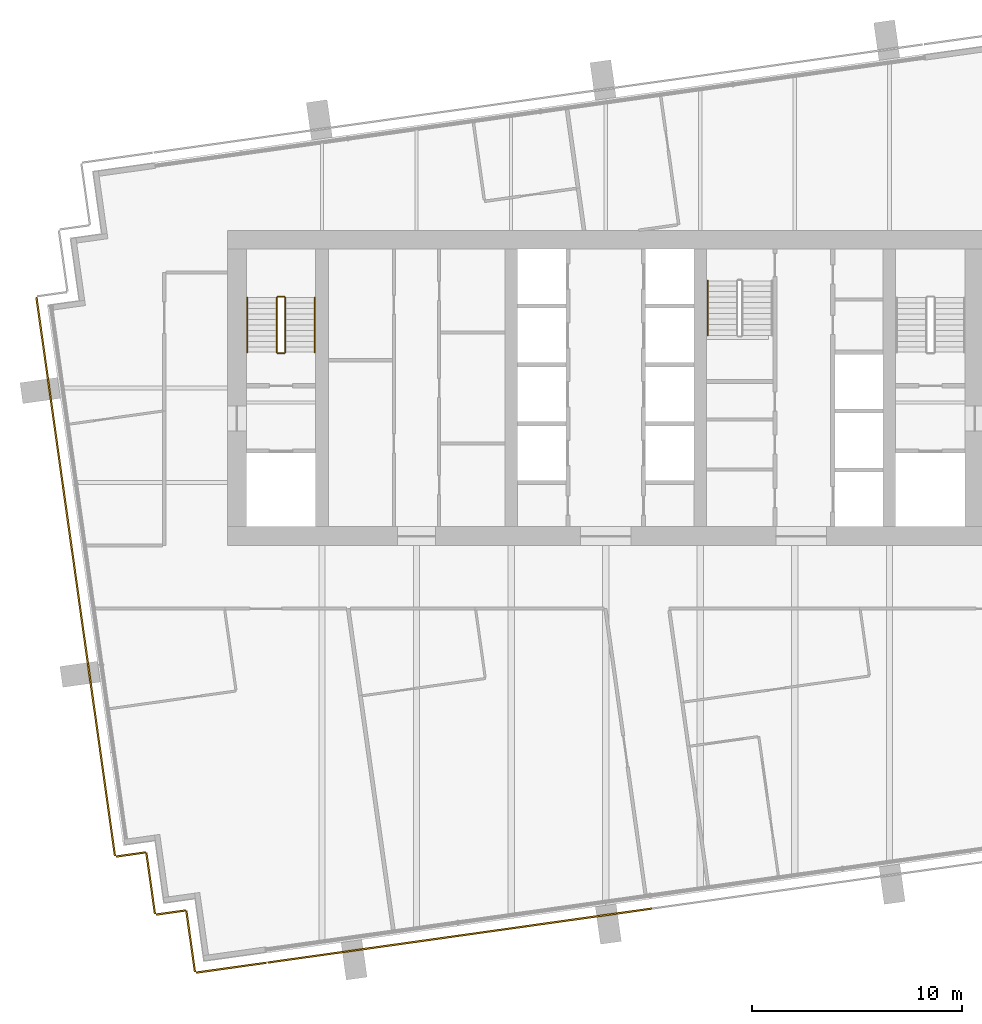
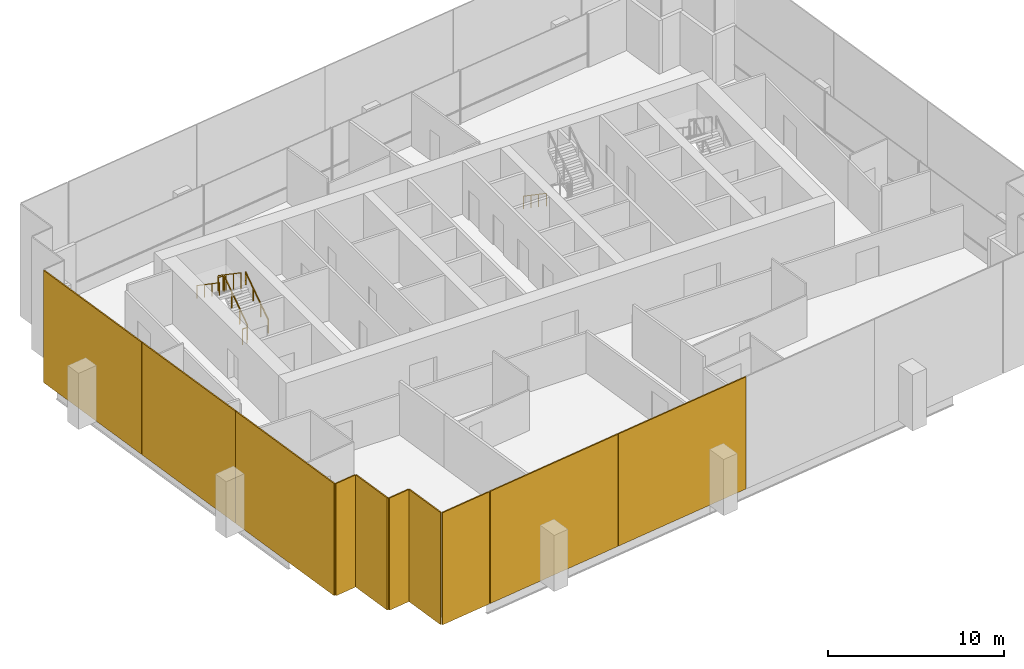
# One storey, part 12 of 15: 10 coverings, 7 railings.
"""IFC4 building model written with IfcOpenShell, lengths in metres."""

from ifc_helpers import new_model, si_unit, direction, frame, origin, origin_2d, place, context, subcontext, project, spatial, rectangle, extrude, material, layer, layer_set, type_object, element, save


model = new_model("IFC4")

# Units and contexts
model_context = context("Model", 3, precision=1e-05, world=origin(), true_north=direction((0.0, 1.0)))
body_context = subcontext(model_context, "Body", "Model", "MODEL_VIEW")
ifc_project = project(units=[si_unit("LENGTHUNIT", "METRE"), si_unit("AREAUNIT", "SQUARE_METRE"), si_unit("VOLUMEUNIT", "CUBIC_METRE"), si_unit("PLANEANGLEUNIT", "RADIAN"), si_unit("MASSUNIT", "GRAM", prefix="KILO")], contexts=[model_context])

# Site, building, storey
site_placement = place(None, origin())
site = spatial("IfcSite", under=ifc_project, at=site_placement, CompositionType="ELEMENT")
building_placement = place(site_placement, origin())
building = spatial("IfcBuilding", under=site, at=building_placement, Name="Rattan Terrace Tower", CompositionType="ELEMENT")
storey_placement = place(building_placement, frame((0.0, 0.0, 278.5)))
storey = spatial("IfcBuildingStorey", under=building, at=storey_placement, Name="L64", CompositionType="ELEMENT", Elevation=278.5)

# Railings
ifc_material_1 = material(Name="Powder-coated steel guard", Category="steel")
railing_type_1 = type_object("IfcRailingType", Name="Core stair guard", PredefinedType="GUARDRAIL", material=ifc_material_1)
railing_1_placement = place(storey_placement, frame((-15.25, 1.699951171875, 0.17724609375)))
element("IfcRailing", 1, at=railing_1_placement, inside=storey, type_object=railing_type_1, Name="L64 S1 stair guard 1", PredefinedType="GUARDRAIL", context=body_context, shape_type="SweptSolid", body=[
    extrude(rectangle(XDim=0.048095703125, YDim=0.048095703125, at=origin_2d()), frame((0.0, 0.0, 1.076171875), z_axis=(0.0, 0.826240473404, 0.563317565952), x_axis=(-1.0, 0.0, 0.0)), (0.0, 0.0, 1.0), 3.14697265625),
    extrude(rectangle(XDim=0.0419921875, YDim=0.0419921875, at=origin_2d()), origin(), (0.0, 0.0, 1.0), 1.052001953125),
    extrude(rectangle(XDim=0.0419921875, YDim=0.0419921875, at=origin_2d()), frame((0.0, 0.86669921875, 0.5908203125)), (0.0, 0.0, 1.0), 1.052001953125),
    extrude(rectangle(XDim=0.0419921875, YDim=0.0419921875, at=origin_2d()), frame((0.0, 1.7333984375, 1.181884765625)), (0.0, 0.0, 1.0), 1.052001953125),
    extrude(rectangle(XDim=0.0419921875, YDim=0.0419921875, at=origin_2d()), frame((0.0, 2.60009765625, 1.772705078125)), (0.0, 0.0, 1.0), 1.052001953125),
])
railing_2_placement = place(storey_placement, frame((-15.300048828125, 4.35009765625, 1.949951171875)))
element("IfcRailing", 2, at=railing_2_placement, inside=storey, type_object=railing_type_1, Name="L64 S1 stair guard 2", PredefinedType="GUARDRAIL", context=body_context, shape_type="SweptSolid", body=[
    extrude(rectangle(XDim=0.048095703125, YDim=0.048095703125, at=origin_2d()), frame((0.0, 0.0, 1.076171875), z_axis=(-1.0, 0.0, 0.0), x_axis=(0.0, -1.0, 0.0)), (0.0, 0.0, 1.0), 0.300048828125),
    extrude(rectangle(XDim=0.0419921875, YDim=0.0419921875, at=origin_2d()), origin(), (0.0, 0.0, 1.0), 1.052001953125),
    extrude(rectangle(XDim=0.0419921875, YDim=0.0419921875, at=origin_2d()), frame((-0.300048828125, 0.0, 0.0)), (0.0, 0.0, 1.0), 1.052001953125),
])
railing_3_placement = place(storey_placement, frame((-15.64990234375, 4.300048828125, 2.127197265625)))
element("IfcRailing", 3, at=railing_3_placement, inside=storey, type_object=railing_type_1, Name="L64 S1 stair guard 3", PredefinedType="GUARDRAIL", context=body_context, shape_type="SweptSolid", body=[
    extrude(rectangle(XDim=0.048095703125, YDim=0.048095703125, at=origin_2d()), frame((0.0, 0.0, 1.076171875), z_axis=(0.0, -0.826240473404, 0.563317565952), x_axis=(1.0, 0.0, 0.0)), (0.0, 0.0, 1.0), 3.14697265625),
    extrude(rectangle(XDim=0.0419921875, YDim=0.0419921875, at=origin_2d()), origin(), (0.0, 0.0, 1.0), 1.052001953125),
    extrude(rectangle(XDim=0.0419921875, YDim=0.0419921875, at=origin_2d()), frame((0.0, -0.86669921875, 0.5908203125)), (0.0, 0.0, 1.0), 1.052001953125),
    extrude(rectangle(XDim=0.0419921875, YDim=0.0419921875, at=origin_2d()), frame((0.0, -1.7333984375, 1.181884765625)), (0.0, 0.0, 1.0), 1.052001953125),
    extrude(rectangle(XDim=0.0419921875, YDim=0.0419921875, at=origin_2d()), frame((0.0, -2.60009765625, 1.772705078125)), (0.0, 0.0, 1.0), 1.052001953125),
])
railing_4_placement = place(storey_placement, frame((-15.300048828125, 1.64990234375, 0.0)))
element("IfcRailing", 4, at=railing_4_placement, inside=storey, type_object=railing_type_1, Name="L64 S1 stair guard 4", PredefinedType="GUARDRAIL", context=body_context, shape_type="SweptSolid", body=[
    extrude(rectangle(XDim=0.048095703125, YDim=0.048095703125, at=origin_2d()), frame((0.0, 0.0, 1.076171875), z_axis=(-1.0, 0.0, 0.0), x_axis=(0.0, -1.0, 0.0)), (0.0, 0.0, 1.0), 0.300048828125),
    extrude(rectangle(XDim=0.0419921875, YDim=0.0419921875, at=origin_2d()), origin(), (0.0, 0.0, 1.0), 1.052001953125),
    extrude(rectangle(XDim=0.0419921875, YDim=0.0419921875, at=origin_2d()), frame((-0.300048828125, 0.0, 0.0)), (0.0, 0.0, 1.0), 1.052001953125),
])
ifc_material_2 = material(Name="Powder-coated steel handrail", Category="steel")
railing_type_2 = type_object("IfcRailingType", Name="Core stair handrail", PredefinedType="HANDRAIL", material=ifc_material_2)
railing_5_placement = place(storey_placement, frame((-13.85009765625, 1.699951171875, 0.17724609375)))
element("IfcRailing", 5, at=railing_5_placement, inside=storey, type_object=railing_type_2, Name="L64 S1 stair handrail 1", PredefinedType="HANDRAIL", context=body_context, shape_type="SweptSolid", body=[
    extrude(rectangle(XDim=0.048095703125, YDim=0.048095703125, at=origin_2d()), frame((0.0, 0.0, 0.8759765625), z_axis=(0.0, 0.826240473404, 0.563317565952), x_axis=(-1.0, 0.0, 0.0)), (0.0, 0.0, 1.0), 3.14697265625),
    extrude(rectangle(XDim=0.0419921875, YDim=0.0419921875, at=origin_2d()), origin(), (0.0, 0.0, 1.0), 0.851806640625),
    extrude(rectangle(XDim=0.0419921875, YDim=0.0419921875, at=origin_2d()), frame((0.0, 0.86669921875, 0.5908203125)), (0.0, 0.0, 1.0), 0.851806640625),
    extrude(rectangle(XDim=0.0419921875, YDim=0.0419921875, at=origin_2d()), frame((0.0, 1.7333984375, 1.181884765625)), (0.0, 0.0, 1.0), 0.851806640625),
    extrude(rectangle(XDim=0.0419921875, YDim=0.0419921875, at=origin_2d()), frame((0.0, 2.60009765625, 1.772705078125)), (0.0, 0.0, 1.0), 0.851806640625),
])
for number, where, name in (
    (6, (-17.050048828125, 4.300048828125, 2.127197265625), "L64 S1 stair handrail 2"),
    (7, (4.85009765625, 5.10009765625, 0.17724609375), "L64 S3 stair handrail 1"),
):
    element("IfcRailing", number, at=place(storey_placement, frame(where)), inside=storey, type_object=railing_type_2, Name=name, PredefinedType="HANDRAIL", context=body_context, shape_type="SweptSolid", body=[
        extrude(rectangle(XDim=0.048095703125, YDim=0.048095703125, at=origin_2d()), frame((0.0, 0.0, 0.8759765625), z_axis=(0.0, -0.826240473404, 0.563317565952), x_axis=(1.0, 0.0, 0.0)), (0.0, 0.0, 1.0), 3.14697265625),
        extrude(rectangle(XDim=0.0419921875, YDim=0.0419921875, at=origin_2d()), origin(), (0.0, 0.0, 1.0), 0.851806640625),
        extrude(rectangle(XDim=0.0419921875, YDim=0.0419921875, at=origin_2d()), frame((0.0, -0.86669921875, 0.5908203125)), (0.0, 0.0, 1.0), 0.851806640625),
        extrude(rectangle(XDim=0.0419921875, YDim=0.0419921875, at=origin_2d()), frame((0.0, -1.7333984375, 1.181884765625)), (0.0, 0.0, 1.0), 0.851806640625),
        extrude(rectangle(XDim=0.0419921875, YDim=0.0419921875, at=origin_2d()), frame((0.0, -2.60009765625, 1.772705078125)), (0.0, 0.0, 1.0), 0.851806640625),
    ])

# Coverings
ifc_material_3 = material(Name="Perforated terracotta", Category="masonry")
ifc_layer = layer(ifc_material_3, 0.080078125)
ifc_layer_set = layer_set([ifc_layer], Name="Facade Terracotta Screen Panel HZ")
covering_type = type_object("IfcCoveringType", Name="Facade Terracotta Screen Panel HZ", PredefinedType="CLADDING", material=ifc_layer_set)
covering_1_placement = place(storey_placement, frame((-26.45263671875, -0.183349609375, -0.18994140625), z_axis=(0.0, 0.0, 1.0), x_axis=(0.139191775431, -0.990265444036, 0.0)))
element("IfcCovering", 8, at=covering_1_placement, inside=storey, type_object=covering_type, Name="OUTER SKIN panel L64-23", PredefinedType="CLADDING", context=body_context, shape_type="SweptSolid", body=[
    extrude(rectangle(XDim=9.06689453125, YDim=0.080078125, at=origin_2d()), origin(), (0.0, 0.0, 1.0), 7.780029296875),
])
covering_2_placement = place(storey_placement, frame((-25.217041015625, -8.973876953125, -0.18994140625), z_axis=(0.0, 0.0, 1.0), x_axis=(0.139191775431, -0.990265444036, 0.0)))
element("IfcCovering", 9, at=covering_2_placement, inside=storey, type_object=covering_type, Name="OUTER SKIN panel L64-24", PredefinedType="CLADDING", context=body_context, shape_type="SweptSolid", body=[
    extrude(rectangle(XDim=8.64697265625, YDim=0.080078125, at=origin_2d()), origin(), (0.0, 0.0, 1.0), 7.780029296875),
])
covering_3_placement = place(storey_placement, frame((-23.9814453125, -17.76416015625, -0.18994140625), z_axis=(0.0, 0.0, 1.0), x_axis=(0.139191775431, -0.990265444036, 0.0)))
element("IfcCovering", 10, at=covering_3_placement, inside=storey, type_object=covering_type, Name="OUTER SKIN panel L64-25", PredefinedType="CLADDING", context=body_context, shape_type="SweptSolid", body=[
    extrude(rectangle(XDim=9.066162109375, YDim=0.080078125, at=origin_2d()), origin(), (0.0, 0.0, 1.0), 7.780029296875),
])
covering_4_placement = place(storey_placement, frame((-22.591064453125, -22.19677734375, -0.18994140625), z_axis=(0.0, 0.0, 1.0), x_axis=(0.990240767803, 0.139367219175, 0.0)))
element("IfcCovering", 11, at=covering_4_placement, inside=storey, type_object=covering_type, Name="OUTER SKIN panel L64-26", PredefinedType="CLADDING", context=body_context, shape_type="SweptSolid", body=[
    extrude(rectangle(XDim=1.419677734375, YDim=0.080078125, at=origin_2d()), origin(), (0.0, 0.0, 1.0), 7.780029296875),
])
covering_5_placement = place(storey_placement, frame((-21.65087890625, -23.569091796875, -0.18994140625), z_axis=(0.0, 0.0, 1.0), x_axis=(0.139321220646, -0.990247240581, 0.0)))
element("IfcCovering", 12, at=covering_5_placement, inside=storey, type_object=covering_type, Name="OUTER SKIN panel L64-27", PredefinedType="CLADDING", context=body_context, shape_type="SweptSolid", body=[
    extrude(rectangle(XDim=2.919921875, YDim=0.080078125, at=origin_2d()), origin(), (0.0, 0.0, 1.0), 7.780029296875),
])
covering_6_placement = place(storey_placement, frame((-20.68798828125, -24.958984375, -0.18994140625), z_axis=(0.0, 0.0, 1.0), x_axis=(0.990332587523, 0.138713251317, 0.0)))
element("IfcCovering", 13, at=covering_6_placement, inside=storey, type_object=covering_type, Name="OUTER SKIN panel L64-28", PredefinedType="CLADDING", context=body_context, shape_type="SweptSolid", body=[
    extrude(rectangle(XDim=1.41943359375, YDim=0.080078125, at=origin_2d()), origin(), (0.0, 0.0, 1.0), 7.780029296875),
])
covering_7_placement = place(storey_placement, frame((-19.747802734375, -26.33154296875, -0.18994140625), z_axis=(0.0, 0.0, 1.0), x_axis=(0.139367219175, -0.990240767803, 0.0)))
element("IfcCovering", 14, at=covering_7_placement, inside=storey, type_object=covering_type, Name="OUTER SKIN panel L64-29", PredefinedType="CLADDING", context=body_context, shape_type="SweptSolid", body=[
    extrude(rectangle(XDim=2.91943359375, YDim=0.080078125, at=origin_2d()), origin(), (0.0, 0.0, 1.0), 7.780029296875),
])
covering_8_placement = place(storey_placement, frame((-17.81982421875, -27.585205078125, -0.18994140625), z_axis=(0.0, 0.0, 1.0), x_axis=(0.990286729519, 0.139040257974, 0.0)))
element("IfcCovering", 15, at=covering_8_placement, inside=storey, type_object=covering_type, Name="OUTER SKIN panel L64-30", PredefinedType="CLADDING", context=body_context, shape_type="SweptSolid", body=[
    extrude(rectangle(XDim=3.368896484375, YDim=0.080078125, at=origin_2d()), origin(), (0.0, 0.0, 1.0), 7.780029296875),
])
covering_9_placement = place(storey_placement, frame((-11.517578125, -26.69970703125, -0.18994140625), z_axis=(0.0, 0.0, 1.0), x_axis=(0.990265894013, 0.139188574079, 0.0)))
element("IfcCovering", 16, at=covering_9_placement, inside=storey, type_object=covering_type, Name="OUTER SKIN panel L64-31", PredefinedType="CLADDING", context=body_context, shape_type="SweptSolid", body=[
    extrude(rectangle(XDim=9.198974609375, YDim=0.080078125, at=origin_2d()), origin(), (0.0, 0.0, 1.0), 7.780029296875),
])
covering_10_placement = place(storey_placement, frame((-2.37353515625, -25.41455078125, -0.18994140625), z_axis=(0.0, 0.0, 1.0), x_axis=(0.990265894013, 0.139188574079, 0.0)))
element("IfcCovering", 17, at=covering_10_placement, inside=storey, type_object=covering_type, Name="OUTER SKIN panel L64-32", PredefinedType="CLADDING", context=body_context, shape_type="SweptSolid", body=[
    extrude(rectangle(XDim=9.22900390625, YDim=0.080078125, at=origin_2d()), origin(), (0.0, 0.0, 1.0), 7.780029296875),
])

save(model, "model.ifc")
